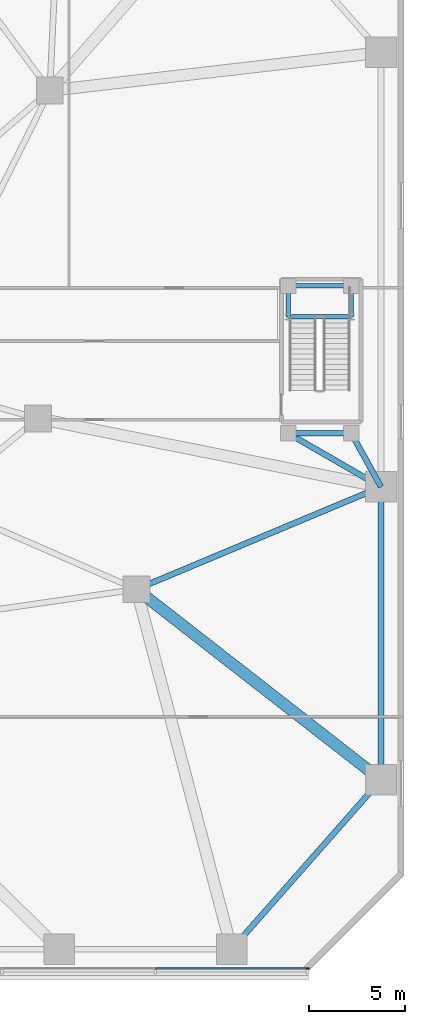
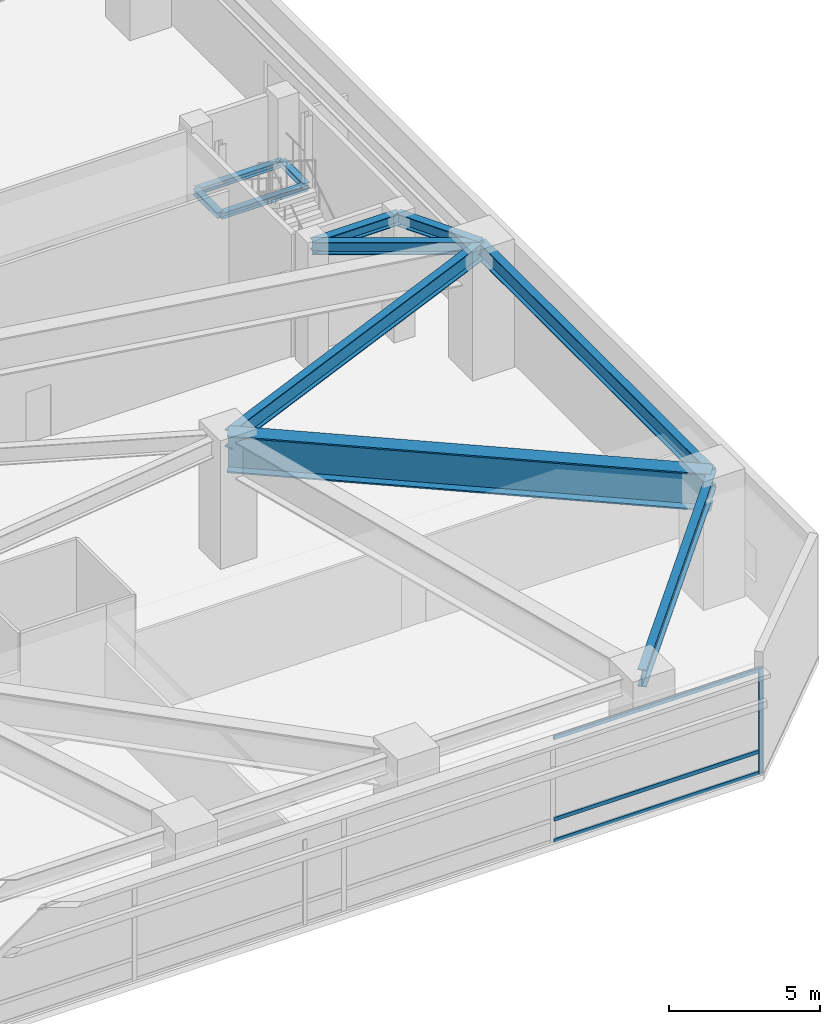
# One storey, part 12 of 27: 11 beams, 4 members, 1 element without a shape of its own.
"""IFC4 building model written with IfcOpenShell, lengths in metres."""

from ifc_helpers import new_model, si_unit, direction, frame, origin, origin_2d, place, context, subcontext, project, spatial, rectangle, i_section, extrude, material, layer, layer_set, material_profile, profile_set, type_object, element, aggregate, save


model = new_model("IFC4")

# Units and contexts
model_context = context("Model", 3, precision=1e-05, world=origin(), true_north=direction((0.0, 1.0)))
body_context = subcontext(model_context, "Body", "Model", "MODEL_VIEW")
ifc_project = project(units=[si_unit("LENGTHUNIT", "METRE"), si_unit("AREAUNIT", "SQUARE_METRE"), si_unit("VOLUMEUNIT", "CUBIC_METRE"), si_unit("PLANEANGLEUNIT", "RADIAN"), si_unit("MASSUNIT", "GRAM", prefix="KILO")], contexts=[model_context])

# Site, building, storey
site_placement = place(None, origin())
site = spatial("IfcSite", under=ifc_project, at=site_placement, CompositionType="ELEMENT")
building_placement = place(site_placement, origin())
building = spatial("IfcBuilding", under=site, at=building_placement, Name="Terralouvre Media Tower", CompositionType="ELEMENT")
storey_placement = place(building_placement, frame((0.0, 0.0, 15.60009765625)))
storey = spatial("IfcBuildingStorey", under=building, at=storey_placement, Name="L03", CompositionType="ELEMENT", Elevation=15.60009765625)

# Curtain wall, members
ifc_material_1 = material(Name="Low-iron laminated double glazing with solar-control coating", Category="glass")
ifc_layer = layer(ifc_material_1, 0.1650390625, Name="Podium Broadcast Gallery Glazing CW-01")
ifc_layer_set = layer_set([ifc_layer], Name="Low-iron laminated double glazing with solar-control coating")
curtain_wall_type = type_object("IfcCurtainWallType", Name="Podium Broadcast Gallery Glazing CW-01", PredefinedType="NOTDEFINED", material=ifc_layer_set)
curtain_wall_placement = place(storey_placement, origin())
curtain_wall = element("IfcCurtainWall", 1, at=curtain_wall_placement, inside=storey, type_object=curtain_wall_type, Name="L03 Podium Curtain Wall F0", PredefinedType="NOTDEFINED")
ifc_material_2 = material(Name="Anodised extruded aluminium 6063-T6", Category="aluminium")
ifc_material_profile_1 = material_profile(ifc_material_2, rectangle(XDim=0.074951171875, YDim=0.14990234375, at=origin_2d()), Name="ALU 75x150")
ifc_profile_set_1 = profile_set([ifc_material_profile_1], Name="Anodised extruded aluminium 6063-T6")
member_type_1 = type_object("IfcMemberType", Name="Curtain-Wall Horizontal Transom TR-150", PredefinedType="USERDEFINED", material=ifc_profile_set_1)
member_1_placement = place(storey_placement, frame((24.03759765625, -24.360107421875, 0.037353515625), z_axis=(1.0, 0.0, 0.0), x_axis=(0.0, 1.0, 0.0)))
member_1 = element("IfcMember", 2, at=member_1_placement, type_object=member_type_1, Name="CW-01 transom 8.1", ObjectType="TRANSOM", PredefinedType="USERDEFINED", context=body_context, shape_type="SweptSolid", body=[
    extrude(rectangle(XDim=0.074951171875, YDim=0.14990234375, at=origin_2d()), origin(), (0.0, 0.0, 1.0), 7.887451171875),
])
member_2_placement = place(storey_placement, frame((24.03759765625, -24.360107421875, 0.89990234375), z_axis=(1.0, 0.0, 0.0), x_axis=(0.0, 1.0, 0.0)))
member_2 = element("IfcMember", 3, at=member_2_placement, type_object=member_type_1, Name="CW-01 transom 8.2", ObjectType="TRANSOM", PredefinedType="USERDEFINED", context=body_context, shape_type="SweptSolid", body=[
    extrude(rectangle(XDim=0.074951171875, YDim=0.14990234375, at=origin_2d()), origin(), (0.0, 0.0, 1.0), 7.887451171875),
])
member_3_placement = place(storey_placement, frame((24.03759765625, -24.360107421875, 4.1923828125), z_axis=(1.0, 0.0, 0.0), x_axis=(0.0, 1.0, 0.0)))
member_3 = element("IfcMember", 4, at=member_3_placement, type_object=member_type_1, Name="CW-01 transom 8.3", ObjectType="TRANSOM", PredefinedType="USERDEFINED", context=body_context, shape_type="SweptSolid", body=[
    extrude(rectangle(XDim=0.074951171875, YDim=0.14990234375, at=origin_2d()), origin(), (0.0, 0.0, 1.0), 7.887451171875),
])
ifc_material_3 = material(Name="Anodised extruded aluminium 6063-T6", Category="aluminium")
ifc_material_profile_2 = material_profile(ifc_material_3, rectangle(XDim=0.074951171875, YDim=0.179931640625, at=origin_2d()), Name="ALU 75x180")
ifc_profile_set_2 = profile_set([ifc_material_profile_2], Name="Anodised extruded aluminium 6063-T6")
member_type_2 = type_object("IfcMemberType", Name="Curtain-Wall Vertical Mullion ML-180", PredefinedType="MULLION", material=ifc_profile_set_2)
member_4_placement = place(storey_placement, frame((31.96240234375, -24.360107421875, 0.0), z_axis=(0.0, 0.0, 1.0), x_axis=(0.0, 1.0, 0.0)))
member_4 = element("IfcMember", 5, at=member_4_placement, type_object=member_type_2, Name="CW-01 mullion 9", PredefinedType="MULLION", context=body_context, shape_type="SweptSolid", body=[
    extrude(rectangle(XDim=0.074951171875, YDim=0.179931640625, at=origin_2d()), origin(), (0.0, 0.0, 1.0), 4.22998046875),
])
aggregate(curtain_wall, [member_4, member_1, member_2, member_3])

# Beams
ifc_material_4 = material(Name="Structural steel S355J2", Category="steel")
ifc_material_profile_3 = material_profile(ifc_material_4, i_section(OverallWidth=0.239990234375, OverallDepth=0.239990234375, WebThickness=0.010009765625, FlangeThickness=0.01708984375, at=origin_2d()), Name="HEB 240")
ifc_profile_set_3 = profile_set([ifc_material_profile_3], Name="Structural steel S355J2")
beam_type_1 = type_object("IfcBeamType", Name="Opening Lintel Beam LN-240H (HEB 240)", PredefinedType="LINTEL", material=ifc_profile_set_3)
for number, where, z_axis, x_axis, name in (
    (6, (30.949951171875, 9.679931640625, 2.27978515625), (0.0, 1.0, 0.0), (-1.0, 0.0, 0.0), "L03 ST-04 Intermediate Landing Support Beam 1W"),
    (7, (34.25, 9.679931640625, 2.27978515625), (0.0, 1.0, 0.0), (-1.0, 0.0, 0.0), "L03 ST-04 Intermediate Landing Support Beam 1E"),
):
    element("IfcBeam", number, at=place(storey_placement, frame(where, z_axis=z_axis, x_axis=x_axis)), inside=storey, type_object=beam_type_1, Name=name, PredefinedType="LINTEL", context=body_context, shape_type="SweptSolid", body=[
        extrude(i_section(OverallWidth=0.239990234375, OverallDepth=0.239990234375, WebThickness=0.010009765625, FlangeThickness=0.01708984375, at=origin_2d()), origin(), (0.0, 0.0, 1.0), 1.6201171875),
    ])
for number, where, z_axis, x_axis, name in (
    (8, (30.949951171875, 9.679931640625, 2.27978515625), (1.0, 0.0, 0.0), (0.0, 1.0, 0.0), "L03 ST-04 Intermediate Landing Support Beam 1S"),
    (9, (30.949951171875, 11.300048828125, 2.27978515625), (1.0, 0.0, 0.0), (0.0, 1.0, 0.0), "L03 ST-04 Intermediate Landing Support Beam 1X"),
):
    element("IfcBeam", number, at=place(storey_placement, frame(where, z_axis=z_axis, x_axis=x_axis)), inside=storey, type_object=beam_type_1, Name=name, PredefinedType="LINTEL", context=body_context, shape_type="SweptSolid", body=[
        extrude(i_section(OverallWidth=0.239990234375, OverallDepth=0.239990234375, WebThickness=0.010009765625, FlangeThickness=0.01708984375, at=origin_2d()), origin(), (0.0, 0.0, 1.0), 3.300048828125),
    ])
ifc_material_5 = material(Name="Structural steel S355J2", Category="steel")
ifc_material_profile_4 = material_profile(ifc_material_5, i_section(OverallWidth=0.300048828125, OverallDepth=0.449951171875, WebThickness=0.013916015625, FlangeThickness=0.02587890625, at=origin_2d()), Name="HEB 450")
ifc_profile_set_4 = profile_set([ifc_material_profile_4], Name="Structural steel S355J2")
beam_type_2 = type_object("IfcBeamType", Name="Primary Floor Girder B-HEB450 (HEB 450)", PredefinedType="BEAM", material=ifc_profile_set_4)
beam_1_placement = place(storey_placement, frame((30.949951171875, 3.60009765625, 4.724853515625), z_axis=(1.0, 0.0, 0.0), x_axis=(0.0, 1.0, 0.0)))
element("IfcBeam", 10, at=beam_1_placement, inside=storey, type_object=beam_type_2, Name="L03 Framing Beam BM-L03-PVST41", PredefinedType="BEAM", context=body_context, shape_type="SweptSolid", body=[
    extrude(i_section(OverallWidth=0.300048828125, OverallDepth=0.449951171875, WebThickness=0.013916015625, FlangeThickness=0.02587890625, at=origin_2d()), origin(), (0.0, 0.0, 1.0), 3.300048828125),
])
ifc_material_6 = material(Name="Structural steel S355J2", Category="steel")
ifc_material_profile_5 = material_profile(ifc_material_6, i_section(OverallWidth=0.300048828125, OverallDepth=0.5, WebThickness=0.014404296875, FlangeThickness=0.028076171875, at=origin_2d()), Name="HEB 500")
ifc_profile_set_5 = profile_set([ifc_material_profile_5], Name="Structural steel S355J2")
beam_type_3 = type_object("IfcBeamType", Name="Primary Floor Girder B-HEB500 (HEB 500)", PredefinedType="BEAM", material=ifc_profile_set_5)
beam_2_placement = place(storey_placement, frame((30.949951171875, 3.60009765625, 4.699951171875), z_axis=(0.866037493094, -0.499979060117, 0.0), x_axis=(0.499979060117, 0.866037493094, 0.0)))
element("IfcBeam", 11, at=beam_2_placement, inside=storey, type_object=beam_type_3, Name="L03 Framing Beam BM-L03-PVTST41", PredefinedType="BEAM", context=body_context, shape_type="SweptSolid", body=[
    extrude(i_section(OverallWidth=0.300048828125, OverallDepth=0.5, WebThickness=0.014404296875, FlangeThickness=0.028076171875, at=origin_2d()), origin(), (0.0, 0.0, 1.0), 5.600341796875),
])
beam_3_placement = place(storey_placement, frame((34.25, 3.60009765625, 4.699951171875), z_axis=(0.484321096397, -0.874890322032, 0.0), x_axis=(0.874890322032, 0.484321096397, 0.0)))
element("IfcBeam", 12, at=beam_3_placement, inside=storey, type_object=beam_type_3, Name="L03 Framing Beam BM-L03-PVTST42", PredefinedType="BEAM", context=body_context, shape_type="SweptSolid", body=[
    extrude(i_section(OverallWidth=0.300048828125, OverallDepth=0.5, WebThickness=0.014404296875, FlangeThickness=0.028076171875, at=origin_2d()), origin(), (0.0, 0.0, 1.0), 3.200439453125),
])
ifc_material_7 = material(Name="Structural steel S460M", Category="steel")
ifc_material_profile_6 = material_profile(ifc_material_7, i_section(OverallWidth=0.300048828125, OverallDepth=0.699951171875, WebThickness=0.01708984375, FlangeThickness=0.031982421875, at=origin_2d()), Name="HEB 700")
ifc_profile_set_6 = profile_set([ifc_material_profile_6], Name="Structural steel S460M")
beam_type_4 = type_object("IfcBeamType", Name="Primary Floor Girder B-HEB700 (HEB 700)", PredefinedType="BEAM", material=ifc_profile_set_6)
beam_4_placement = place(storey_placement, frame((23.02490234375, -4.546630859375, 4.599853515625), z_axis=(0.922468147364, 0.386073201737, 0.0), x_axis=(-0.386073201737, 0.922468147364, 0.0)))
element("IfcBeam", 13, at=beam_4_placement, inside=storey, type_object=beam_type_4, Name="L03 Framing Beam BM-L03-PM21P1", PredefinedType="BEAM", context=body_context, shape_type="SweptSolid", body=[
    extrude(i_section(OverallWidth=0.300048828125, OverallDepth=0.699951171875, WebThickness=0.01708984375, FlangeThickness=0.031982421875, at=origin_2d()), origin(), (0.0, 0.0, 1.0), 13.848876953125),
])
beam_5_placement = place(storey_placement, frame((28.0, -23.35009765625, 4.599853515625), z_axis=(0.661199207896, 0.75021037548, 0.0), x_axis=(-0.75021037548, 0.661199207896, 0.0)))
element("IfcBeam", 14, at=beam_5_placement, inside=storey, type_object=beam_type_4, Name="L03 Framing Beam BM-L03-PR07", PredefinedType="BEAM", context=body_context, shape_type="SweptSolid", body=[
    extrude(i_section(OverallWidth=0.300048828125, OverallDepth=0.699951171875, WebThickness=0.01708984375, FlangeThickness=0.031982421875, at=origin_2d()), origin(), (0.0, 0.0, 1.0), 11.796875),
])
beam_6_placement = place(storey_placement, frame((35.800048828125, -14.5, 4.599853515625), z_axis=(0.0, 1.0, 0.0), x_axis=(-1.0, 0.0, 0.0)))
element("IfcBeam", 15, at=beam_6_placement, inside=storey, type_object=beam_type_4, Name="L03 Framing Beam BM-L03-PR08", PredefinedType="BEAM", context=body_context, shape_type="SweptSolid", body=[
    extrude(i_section(OverallWidth=0.300048828125, OverallDepth=0.699951171875, WebThickness=0.01708984375, FlangeThickness=0.031982421875, at=origin_2d()), origin(), (0.0, 0.0, 1.0), 15.300048828125),
])
ifc_material_8 = material(Name="Structural steel S460M", Category="steel")
ifc_material_profile_7 = material_profile(ifc_material_8, i_section(OverallWidth=0.60009765625, OverallDepth=1.5, WebThickness=0.033935546875, FlangeThickness=0.054931640625, at=origin_2d()), Name="PG 1500x600")
ifc_profile_set_7 = profile_set([ifc_material_profile_7], Name="Structural steel S460M")
beam_type_5 = type_object("IfcBeamType", Name="Primary Floor Girder B-PG1500 (PG 1500x600)", PredefinedType="BEAM", material=ifc_profile_set_7)
beam_7_placement = place(storey_placement, frame((23.02490234375, -4.546630859375, 4.199951171875), z_axis=(0.788838921833, -0.614599996259, 0.0), x_axis=(0.614599996259, 0.788838921833, 0.0)))
element("IfcBeam", 16, at=beam_7_placement, inside=storey, type_object=beam_type_5, Name="L03 Framing Beam BM-L03-RD08", PredefinedType="BEAM", context=body_context, shape_type="SweptSolid", body=[
    extrude(i_section(OverallWidth=0.60009765625, OverallDepth=1.5, WebThickness=0.033935546875, FlangeThickness=0.054931640625, at=origin_2d()), origin(), (0.0, 0.0, 1.0), 16.19482421875),
])

save(model, "model.ifc")
